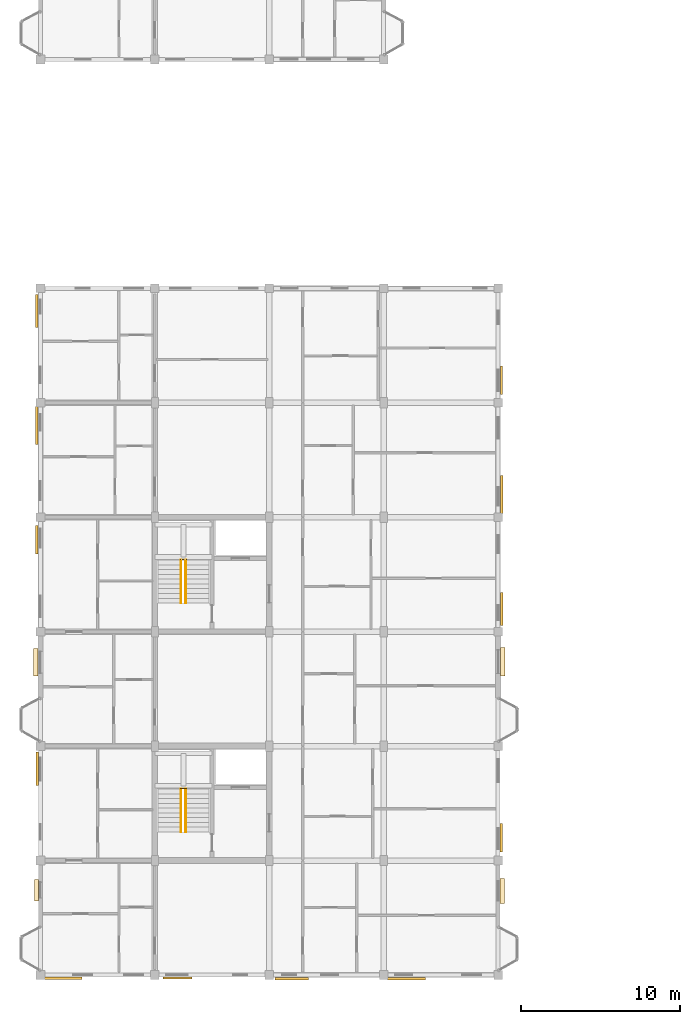
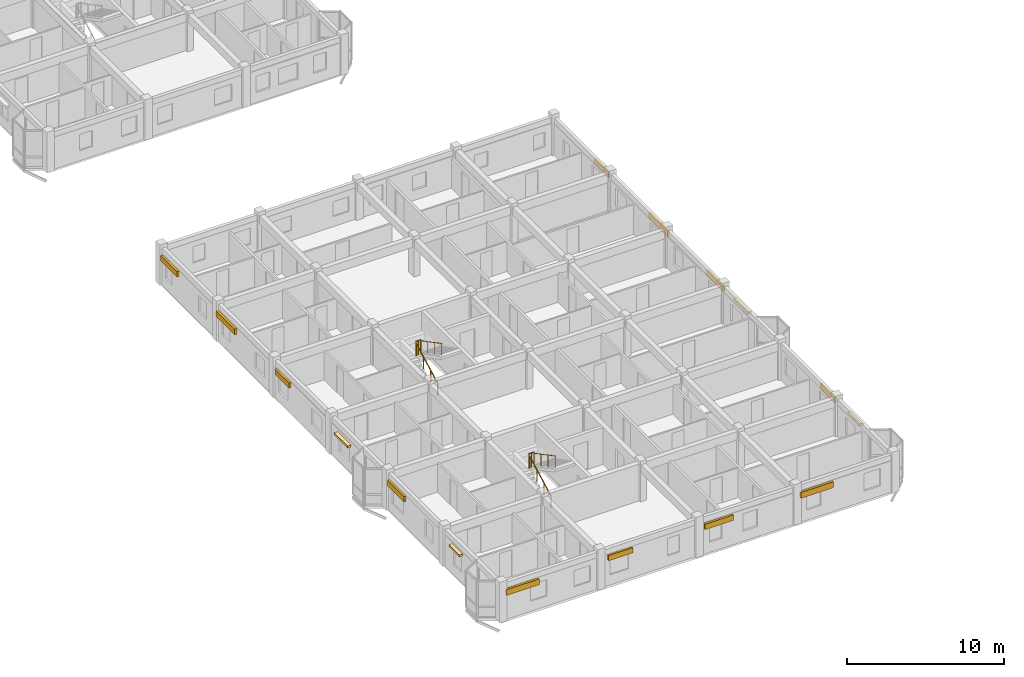
# One storey, part 74 of 77: 12 shading devices, 6 railings, 4 coverings.
"""IFC4 building model written with IfcOpenShell, lengths in metres."""

from ifc_helpers import new_model, si_unit, direction, frame, origin, origin_2d, place, context, subcontext, project, spatial, rectangle, circle, extrude, material, layer, layer_set, type_object, element, save


model = new_model("IFC4")

# Units and contexts
model_context = context("Model", 3, precision=1e-05, world=origin(), true_north=direction((0.0, 1.0)))
body_context = subcontext(model_context, "Body", "Model", "MODEL_VIEW")
ifc_project = project(units=[si_unit("LENGTHUNIT", "METRE"), si_unit("AREAUNIT", "SQUARE_METRE"), si_unit("VOLUMEUNIT", "CUBIC_METRE"), si_unit("PLANEANGLEUNIT", "RADIAN"), si_unit("MASSUNIT", "GRAM", prefix="KILO"), si_unit("THERMODYNAMICTEMPERATUREUNIT", "KELVIN"), si_unit("POWERUNIT", "WATT")], contexts=[model_context])

# Site, building, storey
site_placement = place(None, origin())
site = spatial("IfcSite", under=ifc_project, at=site_placement, CompositionType="ELEMENT")
building_placement = place(site_placement, origin())
building = spatial("IfcBuilding", under=site, at=building_placement, Name="Tavuni Mirador Residences", CompositionType="ELEMENT")
storey_placement = place(building_placement, frame((0.0, 0.0, 17.10009765625)))
storey = spatial("IfcBuildingStorey", under=building, at=storey_placement, Name="L05", CompositionType="ELEMENT", Elevation=17.10009765625)

# Coverings
ifc_material_1 = material(Name="Natural coral limestone", Category="masonry")
ifc_layer = layer(ifc_material_1, 0.054931640625, Name="Natural coral limestone", Category="masonry")
ifc_layer_set = layer_set([ifc_layer], Name="Natural coral limestone")
covering_type = type_object("IfcCoveringType", Name="CVT-CLAD-CORAL", PredefinedType="CLADDING", material=ifc_layer_set)
covering_1_placement = place(storey_placement, frame((32.654541015625, 12.482421875, 2.16015625), z_axis=(0.0, 0.0, 1.0), x_axis=(0.0, 1.0, 0.0)))
element("IfcCovering", 1, at=covering_1_placement, inside=storey, type_object=covering_type, Name="HOOD-0131", PredefinedType="CLADDING", context=body_context, shape_type="SweptSolid", body=[
    extrude(rectangle(XDim=1.580078125, YDim=0.260009765625, at=origin_2d()), origin(), (0.0, 0.0, 1.0), 0.159912109375),
])
covering_2_placement = place(storey_placement, frame((32.69189453125, 26.907470703125, 2.16015625), z_axis=(0.0, 0.0, 1.0), x_axis=(0.0, 1.0, 0.0)))
element("IfcCovering", 2, at=covering_2_placement, inside=storey, type_object=covering_type, Name="HOOD-0132", PredefinedType="CLADDING", context=body_context, shape_type="SweptSolid", body=[
    extrude(rectangle(XDim=1.820068359375, YDim=0.260009765625, at=origin_2d()), origin(), (0.0, 0.0, 1.0), 0.159912109375),
])
covering_3_placement = place(storey_placement, frame((3.30810546875, 26.867431640625, 2.06005859375), z_axis=(0.0, 0.0, 1.0), x_axis=(0.0, -1.0, 0.0)))
element("IfcCovering", 3, at=covering_3_placement, inside=storey, type_object=covering_type, Name="HOOD-0133", PredefinedType="CLADDING", context=body_context, shape_type="SweptSolid", body=[
    extrude(rectangle(XDim=1.719970703125, YDim=0.260009765625, at=origin_2d()), origin(), (0.0, 0.0, 1.0), 0.159912109375),
])
covering_4_placement = place(storey_placement, frame((3.345458984375, 12.53759765625, 2.16015625), z_axis=(0.0, 0.0, 1.0), x_axis=(0.0, -1.0, 0.0)))
element("IfcCovering", 4, at=covering_4_placement, inside=storey, type_object=covering_type, Name="HOOD-0134", PredefinedType="CLADDING", context=body_context, shape_type="SweptSolid", body=[
    extrude(rectangle(XDim=1.340087890625, YDim=0.260009765625, at=origin_2d()), origin(), (0.0, 0.0, 1.0), 0.159912109375),
])

# Railings
ifc_material_2 = material(Name="Structural steel S355", Category="steel")
railing_type_1 = type_object("IfcRailingType", Name="RT-GR1120", PredefinedType="GUARDRAIL", material=ifc_material_2)
for number, where, name in (
    (5, (12.419921875, 18.93994140625, 1.574951171875), "GRD-HL-ST1-L05"),
    (6, (12.419921875, 33.340087890625, 1.574951171875), "GRD-HL-ST2-L05"),
):
    element("IfcRailing", number, at=place(storey_placement, frame(where)), inside=storey, type_object=railing_type_1, Name=name, PredefinedType="GUARDRAIL", context=body_context, shape_type="SweptSolid", body=[
        extrude(circle(Radius=0.02392578125, at=origin_2d()), frame((0.0, 0.0, 1.09619140625), z_axis=(1.0, 0.0, 0.0), x_axis=(0.0, 1.0, 0.0)), (0.0, 0.0, 1.0), 0.360107421875),
        extrude(circle(Radius=0.02099609375, at=origin_2d()), origin(), (0.0, 0.0, 1.0), 1.072021484375),
        extrude(circle(Radius=0.02099609375, at=origin_2d()), frame((0.18017578125, 0.0, 0.0)), (0.0, 0.0, 1.0), 1.072021484375),
        extrude(circle(Radius=0.02099609375, at=origin_2d()), frame((0.360107421875, 0.0, 0.0)), (0.0, 0.0, 1.0), 1.072021484375),
    ])
railing_type_2 = type_object("IfcRailingType", Name="RT-HR920", PredefinedType="HANDRAIL", material=ifc_material_2)
railing_1_placement = place(storey_placement, frame((12.449951171875, 16.199951171875, 0.157470703125)))
element("IfcRailing", 7, at=railing_1_placement, inside=storey, type_object=railing_type_2, Name="HR-ST1-L05-F1", PredefinedType="HANDRAIL", context=body_context, shape_type="SweptSolid", body=[
    extrude(circle(Radius=0.02392578125, at=origin_2d()), frame((0.0, 0.0, 0.89599609375), z_axis=(0.0, 0.885397079081, 0.464835468048), x_axis=(-1.0, 0.0, 0.0)), (0.0, 0.0, 1.0), 3.04931640625),
    extrude(circle(Radius=0.02099609375, at=origin_2d()), origin(), (0.0, 0.0, 1.0), 0.871826171875),
    extrude(circle(Radius=0.02099609375, at=origin_2d()), frame((0.0, 0.89990234375, 0.472412109375)), (0.0, 0.0, 1.0), 0.871826171875),
    extrude(circle(Radius=0.02099609375, at=origin_2d()), frame((0.0, 1.800048828125, 0.945068359375)), (0.0, 0.0, 1.0), 0.871826171875),
    extrude(circle(Radius=0.02099609375, at=origin_2d()), frame((0.0, 2.699951171875, 1.41748046875)), (0.0, 0.0, 1.0), 0.871826171875),
])
railing_2_placement = place(storey_placement, frame((12.75, 18.89990234375, 1.732421875)))
element("IfcRailing", 8, at=railing_2_placement, inside=storey, type_object=railing_type_2, Name="HR-ST1-L05-F2", PredefinedType="HANDRAIL", context=body_context, shape_type="SweptSolid", body=[
    extrude(circle(Radius=0.02392578125, at=origin_2d()), frame((0.0, 0.0, 0.89599609375), z_axis=(0.0, -0.885397079081, 0.464835468048), x_axis=(1.0, 0.0, 0.0)), (0.0, 0.0, 1.0), 3.04931640625),
    extrude(circle(Radius=0.02099609375, at=origin_2d()), origin(), (0.0, 0.0, 1.0), 0.871826171875),
    extrude(circle(Radius=0.02099609375, at=origin_2d()), frame((0.0, -0.89990234375, 0.472412109375)), (0.0, 0.0, 1.0), 0.871826171875),
    extrude(circle(Radius=0.02099609375, at=origin_2d()), frame((0.0, -1.800048828125, 0.945068359375)), (0.0, 0.0, 1.0), 0.871826171875),
    extrude(circle(Radius=0.02099609375, at=origin_2d()), frame((0.0, -2.699951171875, 1.41748046875)), (0.0, 0.0, 1.0), 0.871826171875),
])
railing_3_placement = place(storey_placement, frame((12.449951171875, 30.60009765625, 0.157470703125)))
element("IfcRailing", 9, at=railing_3_placement, inside=storey, type_object=railing_type_2, Name="HR-ST2-L05-F1", PredefinedType="HANDRAIL", context=body_context, shape_type="SweptSolid", body=[
    extrude(circle(Radius=0.02392578125, at=origin_2d()), frame((0.0, 0.0, 0.89599609375), z_axis=(0.0, 0.885397079081, 0.464835468048), x_axis=(-1.0, 0.0, 0.0)), (0.0, 0.0, 1.0), 3.04931640625),
    extrude(circle(Radius=0.02099609375, at=origin_2d()), origin(), (0.0, 0.0, 1.0), 0.871826171875),
    extrude(circle(Radius=0.02099609375, at=origin_2d()), frame((0.0, 0.89990234375, 0.472412109375)), (0.0, 0.0, 1.0), 0.871826171875),
    extrude(circle(Radius=0.02099609375, at=origin_2d()), frame((0.0, 1.800048828125, 0.945068359375)), (0.0, 0.0, 1.0), 0.871826171875),
    extrude(circle(Radius=0.02099609375, at=origin_2d()), frame((0.0, 2.699951171875, 1.41748046875)), (0.0, 0.0, 1.0), 0.871826171875),
])
railing_4_placement = place(storey_placement, frame((12.75, 33.300048828125, 1.732421875)))
element("IfcRailing", 10, at=railing_4_placement, inside=storey, type_object=railing_type_2, Name="HR-ST2-L05-F2", PredefinedType="HANDRAIL", context=body_context, shape_type="SweptSolid", body=[
    extrude(circle(Radius=0.02392578125, at=origin_2d()), frame((0.0, 0.0, 0.89599609375), z_axis=(0.0, -0.885397079081, 0.464835468048), x_axis=(1.0, 0.0, 0.0)), (0.0, 0.0, 1.0), 3.04931640625),
    extrude(circle(Radius=0.02099609375, at=origin_2d()), origin(), (0.0, 0.0, 1.0), 0.871826171875),
    extrude(circle(Radius=0.02099609375, at=origin_2d()), frame((0.0, -0.89990234375, 0.472412109375)), (0.0, 0.0, 1.0), 0.871826171875),
    extrude(circle(Radius=0.02099609375, at=origin_2d()), frame((0.0, -1.800048828125, 0.945068359375)), (0.0, 0.0, 1.0), 0.871826171875),
    extrude(circle(Radius=0.02099609375, at=origin_2d()), frame((0.0, -2.699951171875, 1.41748046875)), (0.0, 0.0, 1.0), 0.871826171875),
])

# Shading devices
ifc_material_3 = material(Name="Solid core iroko timber", Category="wood")
shading_device_type_1 = type_object("IfcShadingDeviceType", Name="SHT-LV1800", PredefinedType="JALOUSIE", material=ifc_material_3)
for number, where, z_axis, x_axis, name in (
    (11, (12.22509765625, 7.010498046875, 2.02001953125), (0.0, 0.0, 1.0), (1.0, 0.0, 0.0), "SHD-030"),
    (12, (32.589599609375, 15.824951171875, 2.02001953125), (0.0, 0.0, 1.0), (0.0, 1.0, 0.0), "SHD-033"),
    (13, (32.612060546875, 44.625, 2.02001953125), (0.0, 0.0, 1.0), (0.0, 1.0, 0.0), "SHD-036"),
    (14, (3.37548828125, 34.574951171875, 2.02001953125), (0.0, 0.0, 1.0), (0.0, -1.0, 0.0), "SHD-039"),
):
    element("IfcShadingDevice", number, at=place(storey_placement, frame(where, z_axis=z_axis, x_axis=x_axis)), inside=storey, type_object=shading_device_type_1, Name=name, PredefinedType="JALOUSIE", context=body_context, shape_type="SweptSolid", body=[
        extrude(rectangle(XDim=1.800048828125, YDim=0.139892578125, at=origin_2d()), origin(), (0.0, 0.0, 1.0), 0.39990234375),
    ])
shading_device_type_2 = type_object("IfcShadingDeviceType", Name="SHT-LV2100", PredefinedType="JALOUSIE", material=ifc_material_3)
for number, where, z_axis, x_axis, name in (
    (15, (19.425048828125, 6.962890625, 2.0), (0.0, 0.0, 1.0), (1.0, 0.0, 0.0), "SHD-031"),
    (16, (32.62939453125, 30.22509765625, 2.0), (0.0, 0.0, 1.0), (0.0, 1.0, 0.0), "SHD-034"),
    (17, (3.383056640625, 48.97509765625, 2.0), (0.0, 0.0, 1.0), (0.0, -1.0, 0.0), "SHD-037"),
    (18, (3.405517578125, 20.175048828125, 2.0), (0.0, 0.0, 1.0), (0.0, -1.0, 0.0), "SHD-040"),
):
    element("IfcShadingDevice", number, at=place(storey_placement, frame(where, z_axis=z_axis, x_axis=x_axis)), inside=storey, type_object=shading_device_type_2, Name=name, PredefinedType="JALOUSIE", context=body_context, shape_type="SweptSolid", body=[
        extrude(rectangle(XDim=2.10009765625, YDim=0.14990234375, at=origin_2d()), origin(), (0.0, 0.0, 1.0), 0.419921875),
    ])
shading_device_type_3 = type_object("IfcShadingDeviceType", Name="SHT-LV2400", PredefinedType="JALOUSIE", material=ifc_material_3)
for number, where, z_axis, x_axis, name in (
    (19, (5.02490234375, 6.99560546875, 1.9697265625), (0.0, 0.0, 1.0), (1.0, 0.0, 0.0), "SHD-029"),
    (20, (26.625, 6.965576171875, 1.9697265625), (0.0, 0.0, 1.0), (1.0, 0.0, 0.0), "SHD-032"),
    (21, (32.62939453125, 37.425048828125, 1.9697265625), (0.0, 0.0, 1.0), (0.0, 1.0, 0.0), "SHD-035"),
    (22, (3.37060546875, 41.77490234375, 1.9697265625), (0.0, 0.0, 1.0), (0.0, -1.0, 0.0), "SHD-038"),
):
    element("IfcShadingDevice", number, at=place(storey_placement, frame(where, z_axis=z_axis, x_axis=x_axis)), inside=storey, type_object=shading_device_type_3, Name=name, PredefinedType="JALOUSIE", context=body_context, shape_type="SweptSolid", body=[
        extrude(rectangle(XDim=2.39990234375, YDim=0.159912109375, at=origin_2d()), origin(), (0.0, 0.0, 1.0), 0.449951171875),
    ])

save(model, "model.ifc")
